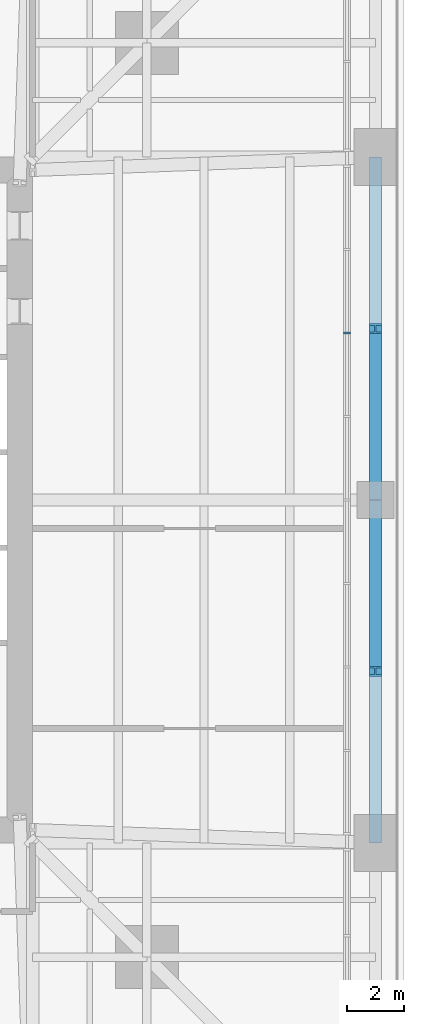
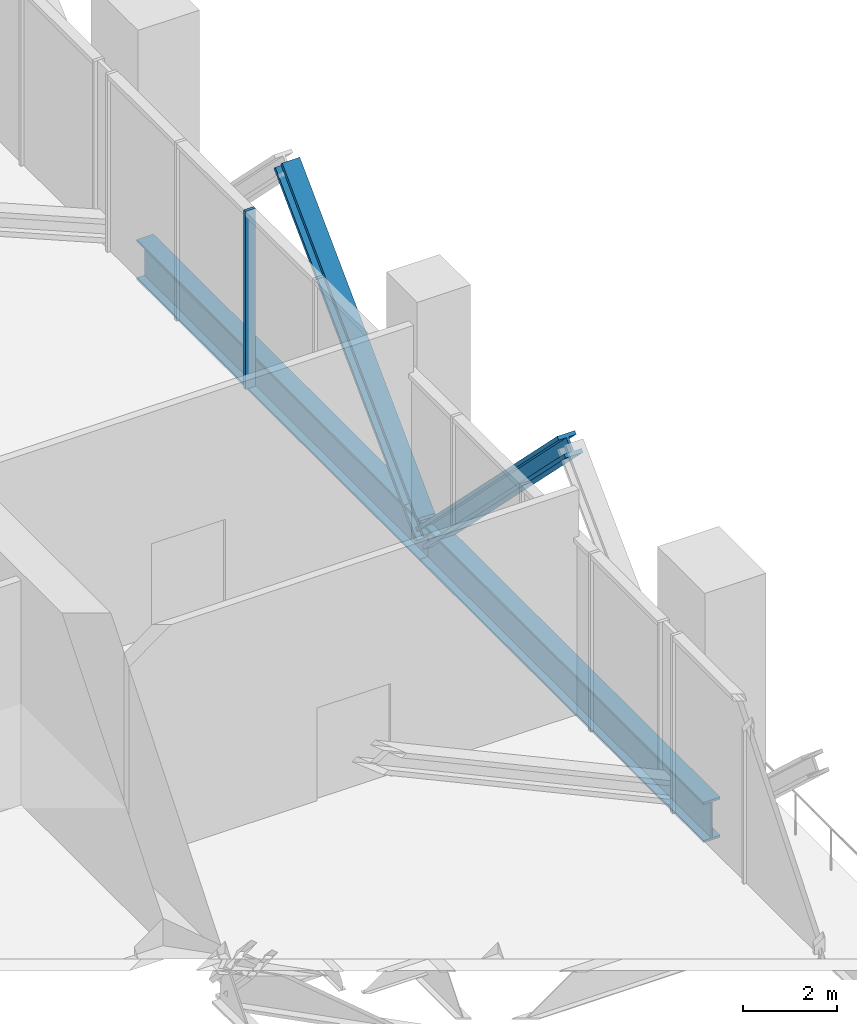
# One storey, part 6 of 14: 3 members, 2 beams, 1 element without a shape of its own.
"""IFC4 building model written with IfcOpenShell, lengths in metres."""

from ifc_helpers import new_model, si_unit, direction, frame, origin, origin_2d, place, context, subcontext, project, spatial, rectangle, i_section, extrude, material, material_profile, profile_set, type_object, element, aggregate, save


model = new_model("IFC4")

# Units and contexts
model_context = context("Model", 3, precision=1e-05, world=origin(), true_north=direction((0.0, 1.0)))
body_context = subcontext(model_context, "Body", "Model", "MODEL_VIEW")
ifc_project = project(units=[si_unit("LENGTHUNIT", "METRE"), si_unit("AREAUNIT", "SQUARE_METRE"), si_unit("VOLUMEUNIT", "CUBIC_METRE"), si_unit("PLANEANGLEUNIT", "RADIAN"), si_unit("MASSUNIT", "GRAM", prefix="KILO")], contexts=[model_context])

# Site, building, storey
site_placement = place(None, origin())
site = spatial("IfcSite", under=ifc_project, at=site_placement, CompositionType="ELEMENT")
building_placement = place(site_placement, origin())
building = spatial("IfcBuilding", under=site, at=building_placement, Name="Fenwick Lantern Interchange", CompositionType="ELEMENT")
storey_placement = place(building_placement, frame((0.0, 0.0, 162.39990234375)))
storey = spatial("IfcBuildingStorey", under=building, at=storey_placement, Name="L38", CompositionType="ELEMENT", Elevation=162.39990234375)

# Members
ifc_material_1 = material(Name="Steel ASTM A992 Grade 50", Category="steel")
ifc_material_profile_1 = material_profile(ifc_material_1, i_section(OverallWidth=0.431884765625, OverallDepth=0.497802734375, WebThickness=0.0556640625, FlangeThickness=0.0888671875, at=origin_2d()), Name="W14X500")
ifc_profile_set_1 = profile_set([ifc_material_profile_1], Name="Steel ASTM A992 Grade 50")
member_type_1 = type_object("IfcMemberType", Name="BELT TRUSS DIAGONAL W14X500", PredefinedType="BRACE", material=ifc_profile_set_1)
for number, where, z_axis, x_axis, name in (
    (1, (49.0, 25.0, -0.64990234375), (0.0, -0.707106781187, 0.707106781187), (1.0, 0.0, 0.0), "L38/BT/E/D3"),
    (2, (49.0, 25.0, -0.64990234375), (0.0, 0.707106781187, 0.707106781187), (-1.0, 0.0, 0.0), "L38/BT/E/D4"),
):
    element("IfcMember", number, at=place(storey_placement, frame(where, z_axis=z_axis, x_axis=x_axis)), inside=storey, type_object=member_type_1, Name=name, PredefinedType="BRACE", context=body_context, shape_type="SweptSolid", body=[
        extrude(i_section(OverallWidth=0.431884765625, OverallDepth=0.497802734375, WebThickness=0.0556640625, FlangeThickness=0.0888671875, at=origin_2d()), origin(), (0.0, 0.0, 1.0), 8.4853515625),
    ])

# Beams
ifc_material_profile_2 = material_profile(ifc_material_1, i_section(OverallWidth=0.408935546875, OverallDepth=1.04150390625, WebThickness=0.031005859375, FlangeThickness=0.055908203125, at=origin_2d()), Name="W40X397")
ifc_profile_set_2 = profile_set([ifc_material_profile_2], Name="Steel ASTM A992 Grade 50")
beam_type = type_object("IfcBeamType", Name="EDGE BEAM W40X397", PredefinedType="SPANDREL", material=ifc_profile_set_2)
for number, where, z_axis, x_axis, name in (
    (3, (49.0, 13.0, -0.720703125), (0.0, 1.0, 0.0), (-1.0, 0.0, 0.0), "L38/FR/E/EB2"),
    (4, (49.0, 25.0, -0.720703125), (0.0, 1.0, 0.0), (-1.0, 0.0, 0.0), "L38/FR/E/EB3"),
):
    element("IfcBeam", number, at=place(storey_placement, frame(where, z_axis=z_axis, x_axis=x_axis)), inside=storey, type_object=beam_type, Name=name, PredefinedType="SPANDREL", context=body_context, shape_type="SweptSolid", body=[
        extrude(i_section(OverallWidth=0.408935546875, OverallDepth=1.04150390625, WebThickness=0.031005859375, FlangeThickness=0.055908203125, at=origin_2d()), origin(), (0.0, 0.0, 1.0), 12.0),
    ])

# Curtain wall, member
ifc_material_2 = material(Name="Aluminium curtain wall frame", Category="aluminium")
curtain_wall_type = type_object("IfcCurtainWallType", Name="PLANT LOUVRE SCREEN", PredefinedType="USERDEFINED", material=ifc_material_2)
curtain_wall_placement = place(storey_placement, origin())
curtain_wall = element("IfcCurtainWall", 5, at=curtain_wall_placement, inside=storey, type_object=curtain_wall_type, Name="Plant louvre screen 04B", ObjectType="PLANT LOUVRE SCREEN", PredefinedType="USERDEFINED")
ifc_material_3 = material(Name="Aluminium extrusion", Category="aluminium")
ifc_material_profile_3 = material_profile(ifc_material_3, rectangle(XDim=0.25, YDim=0.074951171875, at=origin_2d()), Name="PLANT LOUVRE SCREEN MULLION 75 X 250")
ifc_profile_set_3 = profile_set([ifc_material_profile_3], Name="Aluminium extrusion")
member_type_2 = type_object("IfcMemberType", Name="PLANT LOUVRE SCREEN MULLION 75 X 250", PredefinedType="MULLION", material=ifc_profile_set_3)
member_placement = place(storey_placement, frame((48.0, 30.84130859375, 0.0), z_axis=(0.0, 0.0, 1.0), x_axis=(-1.0, 0.0, 0.0)))
member = element("IfcMember", 6, at=member_placement, type_object=member_type_2, Name="L38/CW/04B/M06", PredefinedType="MULLION", context=body_context, shape_type="SweptSolid", body=[
    extrude(rectangle(XDim=0.25, YDim=0.074951171875, at=origin_2d()), origin(), (0.0, 0.0, 1.0), 4.60009765625),
])
aggregate(curtain_wall, [member])

save(model, "model.ifc")
